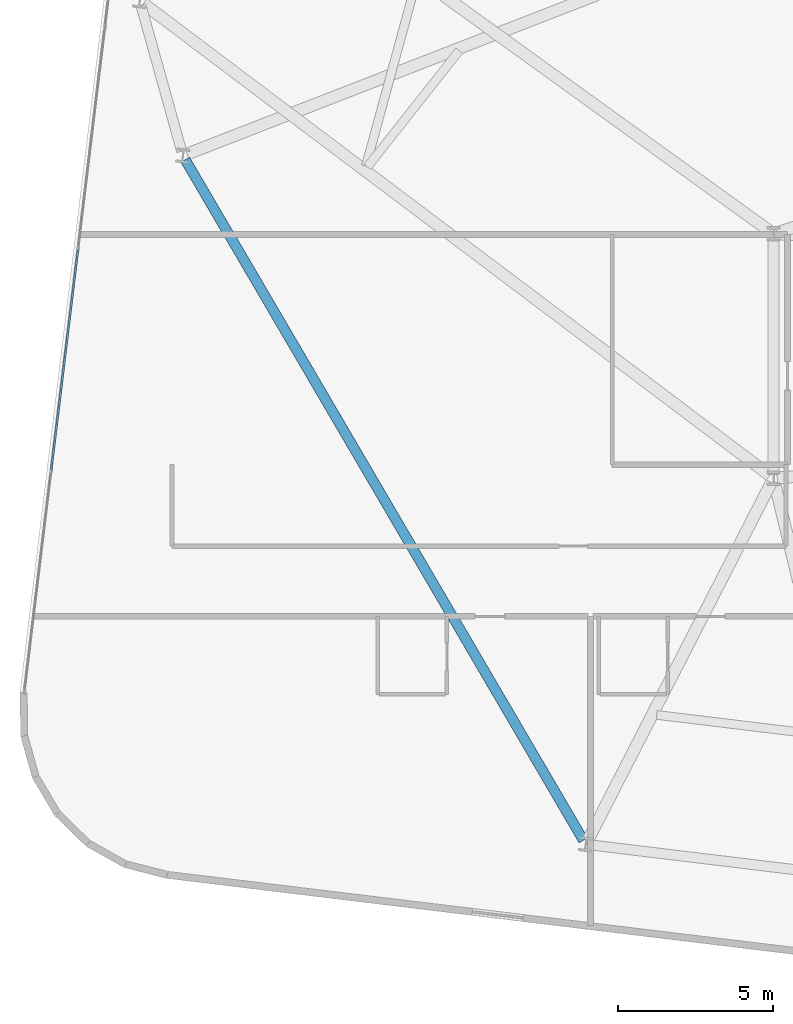
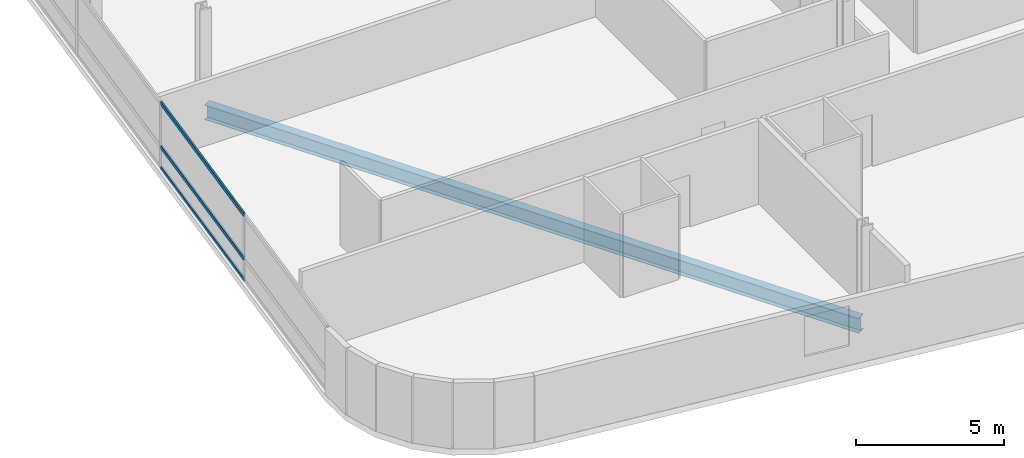
# One storey, part 5 of 25: 3 members, 1 beam, 1 element without a shape of its own.
"""IFC4 building model written with IfcOpenShell, lengths in metres."""

from ifc_helpers import new_model, si_unit, direction, frame, origin, origin_2d, place, context, subcontext, project, spatial, hollow_rectangle, i_section, extrude, material, layer, layer_set, material_profile, profile_set, type_object, element, aggregate, save


model = new_model("IFC4")

# Units and contexts
model_context = context("Model", 3, precision=1e-05, world=origin(), true_north=direction((0.0, 1.0)))
body_context = subcontext(model_context, "Body", "Model", "MODEL_VIEW")
ifc_project = project(units=[si_unit("LENGTHUNIT", "METRE"), si_unit("AREAUNIT", "SQUARE_METRE"), si_unit("VOLUMEUNIT", "CUBIC_METRE"), si_unit("PLANEANGLEUNIT", "RADIAN"), si_unit("MASSUNIT", "GRAM", prefix="KILO")], contexts=[model_context])

# Site, building, storey
site_placement = place(None, origin())
site = spatial("IfcSite", under=ifc_project, at=site_placement, CompositionType="ELEMENT")
building_placement = place(site_placement, origin())
building = spatial("IfcBuilding", under=site, at=building_placement, Name="Varnelok Gate Tower", CompositionType="ELEMENT")
storey_placement = place(building_placement, frame((0.0, 0.0, 132.800048828125)))
storey = spatial("IfcBuildingStorey", under=building, at=storey_placement, Name="L33", CompositionType="ELEMENT", Elevation=132.800048828125)

# Beam
ifc_material_1 = material(Name="Structural Steel ASTM A992 Grade 50", Category="steel")
ifc_material_profile_1 = material_profile(ifc_material_1, i_section(OverallWidth=0.323974609375, OverallDepth=0.611083984375, WebThickness=0.0126953125, FlangeThickness=0.01904296875, FilletRadius=0.01806640625, at=origin_2d()), Name="W24X104")
ifc_profile_set_1 = profile_set([ifc_material_profile_1], Name="Structural Steel ASTM A992 Grade 50")
beam_type = type_object("IfcBeamType", Name="BM-SPN-W24X104", PredefinedType="SPANDREL", material=ifc_profile_set_1)
beam_placement = place(storey_placement, frame((5.43115234375, 29.072021484375, -0.5556640625), z_axis=(0.504960797965, -0.863142278259, 0.0), x_axis=(0.863142278259, 0.504960797965, 0.0)))
element("IfcBeam", 1, at=beam_placement, inside=storey, type_object=beam_type, Name="L33 Perimeter Spandrel Beam 16", PredefinedType="SPANDREL", context=body_context, shape_type="SweptSolid", body=[
    extrude(i_section(OverallWidth=0.323974609375, OverallDepth=0.611083984375, WebThickness=0.0126953125, FlangeThickness=0.01904296875, FilletRadius=0.01806640625, at=origin_2d()), origin(), (0.0, 0.0, 1.0), 25.425537109375),
])

# Curtain wall, members
ifc_material_2 = material(Name="Anodized Aluminum Alloy 6063-T6", Category="aluminium")
ifc_layer = layer(ifc_material_2, 0.179931640625)
ifc_layer_set = layer_set([ifc_layer], Name="Anodized Aluminum Alloy 6063-T6")
curtain_wall_type = type_object("IfcCurtainWallType", Name="CW3-HOTEL-VISION", PredefinedType="USERDEFINED", material=ifc_layer_set)
curtain_wall_placement = place(storey_placement, origin())
curtain_wall = element("IfcCurtainWall", 2, at=curtain_wall_placement, inside=storey, type_object=curtain_wall_type, Name="L33 West End Vision Curtain Wall", ObjectType="UNITISED CURTAIN WALL", PredefinedType="USERDEFINED")
ifc_material_profile_2 = material_profile(ifc_material_2, hollow_rectangle(XDim=0.06494140625, YDim=0.159912109375, WallThickness=0.00390625, at=origin_2d()), Name="ALU160X65X4")
ifc_profile_set_2 = profile_set([ifc_material_profile_2], Name="Anodized Aluminum Alloy 6063-T6")
member_type = type_object("IfcMemberType", Name="CW-TRAN-160", PredefinedType="USERDEFINED", material=ifc_profile_set_2)
member_1_placement = place(storey_placement, frame((1.113525390625, 19.07080078125, 0.032470703125), z_axis=(0.120344652138, 0.992732171687, 0.0), x_axis=(-0.992732171687, 0.120344652138, 0.0)))
member_1 = element("IfcMember", 3, at=member_1_placement, type_object=member_type, Name="CW3 transom 2.1", ObjectType="TRANSOM", PredefinedType="USERDEFINED", context=body_context, shape_type="SweptSolid", body=[
    extrude(hollow_rectangle(XDim=0.06494140625, YDim=0.159912109375, WallThickness=0.00390625, at=origin_2d()), origin(), (0.0, 0.0, 1.0), 7.134765625),
])
member_2_placement = place(storey_placement, frame((1.113525390625, 19.07080078125, 0.89990234375), z_axis=(0.120344652138, 0.992732171687, 0.0), x_axis=(-0.992732171687, 0.120344652138, 0.0)))
member_2 = element("IfcMember", 4, at=member_2_placement, type_object=member_type, Name="CW3 transom 2.2", ObjectType="TRANSOM", PredefinedType="USERDEFINED", context=body_context, shape_type="SweptSolid", body=[
    extrude(hollow_rectangle(XDim=0.06494140625, YDim=0.159912109375, WallThickness=0.00390625, at=origin_2d()), origin(), (0.0, 0.0, 1.0), 7.134765625),
])
member_3_placement = place(storey_placement, frame((1.113525390625, 19.07080078125, 2.697509765625), z_axis=(0.120344652138, 0.992732171687, 0.0), x_axis=(-0.992732171687, 0.120344652138, 0.0)))
member_3 = element("IfcMember", 5, at=member_3_placement, type_object=member_type, Name="CW3 transom 2.3", ObjectType="TRANSOM", PredefinedType="USERDEFINED", context=body_context, shape_type="SweptSolid", body=[
    extrude(hollow_rectangle(XDim=0.06494140625, YDim=0.159912109375, WallThickness=0.00390625, at=origin_2d()), origin(), (0.0, 0.0, 1.0), 7.134765625),
])
aggregate(curtain_wall, [member_1, member_2, member_3])

save(model, "model.ifc")
